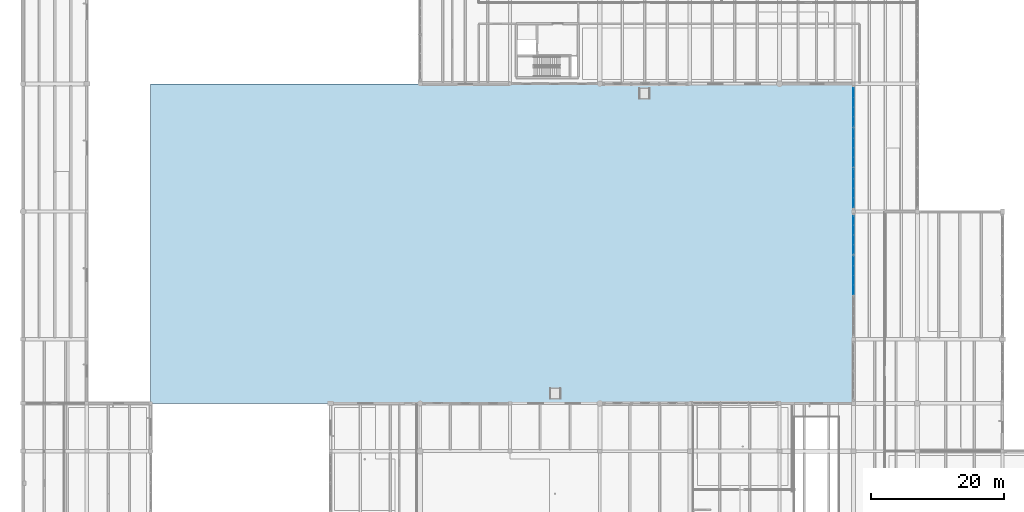
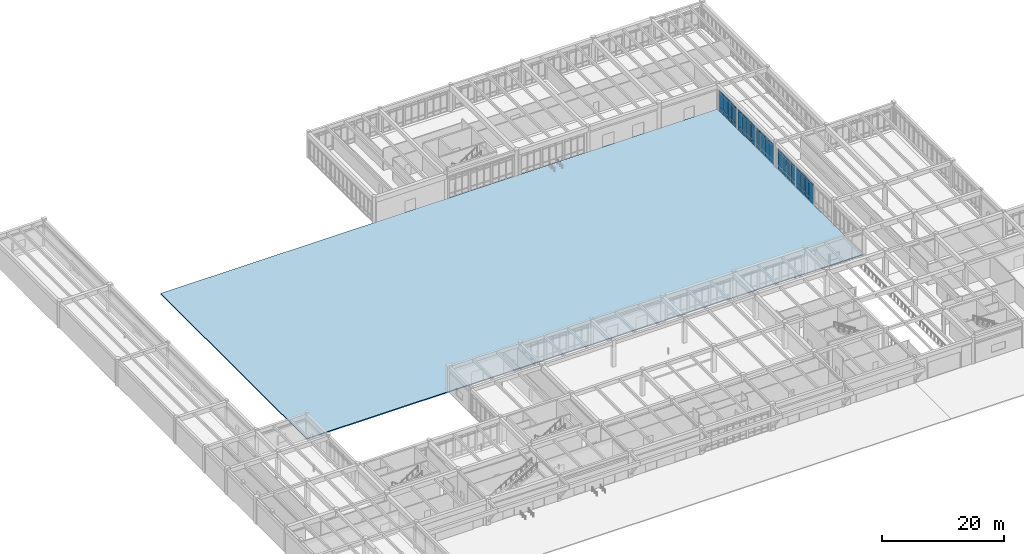
# One storey, part 94 of 138: 60 plates, 1 slab, 5 elements without a shape of their own.
"""IFC4 building model written with IfcOpenShell, lengths in metres."""

from ifc_helpers import new_model, si_unit, direction, frame, origin, origin_2d, place, context, subcontext, project, spatial, polyline, rectangle, outline, extrude, material, layer, layer_set, type_object, element, aggregate, save


model = new_model("IFC4")

# Units and contexts
model_context = context("Model", 3, precision=1e-05, world=origin(), true_north=direction((0.0, 1.0)))
body_context = subcontext(model_context, "Body", "Model", "MODEL_VIEW")
ifc_project = project(units=[si_unit("LENGTHUNIT", "METRE"), si_unit("AREAUNIT", "SQUARE_METRE"), si_unit("VOLUMEUNIT", "CUBIC_METRE"), si_unit("PLANEANGLEUNIT", "RADIAN"), si_unit("MASSUNIT", "GRAM", prefix="KILO")], contexts=[model_context])

# Site, building, storey
site_placement = place(None, origin())
site = spatial("IfcSite", under=ifc_project, at=site_placement, CompositionType="ELEMENT")
building_placement = place(site_placement, origin())
building = spatial("IfcBuilding", under=site, at=building_placement, Name="Fikremerkos Civic Library", CompositionType="ELEMENT")
storey_placement = place(building_placement, origin())
storey = spatial("IfcBuildingStorey", under=building, at=storey_placement, Name="L00", CompositionType="ELEMENT", Elevation=0.0)

# Curtain wall, plates
ifc_material_1 = material(Name="Anodized aluminium Frame", Category="aluminium")
ifc_layer_1 = layer(ifc_material_1, 0.159912109375, Name="Anodized aluminium Frame")
ifc_layer_set_1 = layer_set([ifc_layer_1], Name="Anodized aluminium Frame")
curtain_wall_type_1 = type_object("IfcCurtainWallType", Name="Unitised curtain wall CW-09 3600x3400", PredefinedType="USERDEFINED", material=ifc_layer_set_1)
curtain_wall_1_placement = place(storey_placement, origin())
curtain_wall_1 = element("IfcCurtainWall", 1, at=curtain_wall_1_placement, inside=storey, type_object=curtain_wall_type_1, Name="Unitised curtain wall CW-09 L00 #27", ObjectType="UNITISED CURTAIN WALL", PredefinedType="USERDEFINED")
ifc_material_2 = material(Name="Solar control double glazing", Category="glass")
ifc_layer_2 = layer(ifc_material_2, 0.028076171875, Name="Solar control double glazing")
ifc_layer_set_2 = layer_set([ifc_layer_2], Name="Solar control double glazing")
plate_type_1 = type_object("IfcPlateType", Name="Curtain glazing panel CWP-01 28", PredefinedType="CURTAIN_PANEL", material=ifc_layer_set_2)
plate_1_placement = place(storey_placement, frame((124.800048828125, 71.138916015625, 0.06982421875), z_axis=(0.0, 0.0, 1.0), x_axis=(0.0, 1.0, 0.0)))
plate_1 = element("IfcPlate", 2, at=plate_1_placement, type_object=plate_type_1, Name="CW-09 panel 1.1", PredefinedType="CURTAIN_PANEL", context=body_context, shape_type="SweptSolid", body=[
    extrude(rectangle(XDim=1.3466796875, YDim=0.028076171875, at=origin_2d()), origin(), (0.0, 0.0, 1.0), 0.7451171875),
])
plate_2_placement = place(storey_placement, frame((124.800048828125, 71.138916015625, 0.885009765625), z_axis=(0.0, 0.0, 1.0), x_axis=(0.0, 1.0, 0.0)))
plate_2 = element("IfcPlate", 3, at=plate_2_placement, type_object=plate_type_1, Name="CW-09 panel 1.2", PredefinedType="CURTAIN_PANEL", context=body_context, shape_type="SweptSolid", body=[
    extrude(rectangle(XDim=1.3466796875, YDim=0.028076171875, at=origin_2d()), origin(), (0.0, 0.0, 1.0), 2.830078125),
])
plate_3_placement = place(storey_placement, frame((124.800048828125, 71.138916015625, 3.78515625), z_axis=(0.0, 0.0, 1.0), x_axis=(0.0, 1.0, 0.0)))
plate_3 = element("IfcPlate", 4, at=plate_3_placement, type_object=plate_type_1, Name="CW-09 panel 1.3", PredefinedType="CURTAIN_PANEL", context=body_context, shape_type="SweptSolid", body=[
    extrude(rectangle(XDim=1.3466796875, YDim=0.028076171875, at=origin_2d()), origin(), (0.0, 0.0, 1.0), 0.445068359375),
])
plate_4_placement = place(storey_placement, frame((124.800048828125, 72.56689453125, 0.06982421875), z_axis=(0.0, 0.0, 1.0), x_axis=(0.0, 1.0, 0.0)))
plate_4 = element("IfcPlate", 5, at=plate_4_placement, type_object=plate_type_1, Name="CW-09 panel 2.1", PredefinedType="CURTAIN_PANEL", context=body_context, shape_type="SweptSolid", body=[
    extrude(rectangle(XDim=1.379150390625, YDim=0.028076171875, at=origin_2d()), origin(), (0.0, 0.0, 1.0), 0.7451171875),
])
plate_5_placement = place(storey_placement, frame((124.800048828125, 72.56689453125, 0.885009765625), z_axis=(0.0, 0.0, 1.0), x_axis=(0.0, 1.0, 0.0)))
plate_5 = element("IfcPlate", 6, at=plate_5_placement, type_object=plate_type_1, Name="CW-09 panel 2.2", PredefinedType="CURTAIN_PANEL", context=body_context, shape_type="SweptSolid", body=[
    extrude(rectangle(XDim=1.379150390625, YDim=0.028076171875, at=origin_2d()), origin(), (0.0, 0.0, 1.0), 2.830078125),
])
plate_6_placement = place(storey_placement, frame((124.800048828125, 72.56689453125, 3.78515625), z_axis=(0.0, 0.0, 1.0), x_axis=(0.0, 1.0, 0.0)))
plate_6 = element("IfcPlate", 7, at=plate_6_placement, type_object=plate_type_1, Name="CW-09 panel 2.3", PredefinedType="CURTAIN_PANEL", context=body_context, shape_type="SweptSolid", body=[
    extrude(rectangle(XDim=1.379150390625, YDim=0.028076171875, at=origin_2d()), origin(), (0.0, 0.0, 1.0), 0.445068359375),
])
plate_7_placement = place(storey_placement, frame((124.800048828125, 74.010986328125, 0.06982421875), z_axis=(0.0, 0.0, 1.0), x_axis=(0.0, 1.0, 0.0)))
plate_7 = element("IfcPlate", 8, at=plate_7_placement, type_object=plate_type_1, Name="CW-09 panel 3.1", PredefinedType="CURTAIN_PANEL", context=body_context, shape_type="SweptSolid", body=[
    extrude(rectangle(XDim=1.379150390625, YDim=0.028076171875, at=origin_2d()), origin(), (0.0, 0.0, 1.0), 0.7451171875),
])
plate_8_placement = place(storey_placement, frame((124.800048828125, 74.010986328125, 0.885009765625), z_axis=(0.0, 0.0, 1.0), x_axis=(0.0, 1.0, 0.0)))
plate_8 = element("IfcPlate", 9, at=plate_8_placement, type_object=plate_type_1, Name="CW-09 panel 3.2", PredefinedType="CURTAIN_PANEL", context=body_context, shape_type="SweptSolid", body=[
    extrude(rectangle(XDim=1.379150390625, YDim=0.028076171875, at=origin_2d()), origin(), (0.0, 0.0, 1.0), 2.830078125),
])
plate_9_placement = place(storey_placement, frame((124.800048828125, 74.010986328125, 3.78515625), z_axis=(0.0, 0.0, 1.0), x_axis=(0.0, 1.0, 0.0)))
plate_9 = element("IfcPlate", 10, at=plate_9_placement, type_object=plate_type_1, Name="CW-09 panel 3.3", PredefinedType="CURTAIN_PANEL", context=body_context, shape_type="SweptSolid", body=[
    extrude(rectangle(XDim=1.379150390625, YDim=0.028076171875, at=origin_2d()), origin(), (0.0, 0.0, 1.0), 0.445068359375),
])
plate_10_placement = place(storey_placement, frame((124.800048828125, 75.438720703125, 0.06982421875), z_axis=(0.0, 0.0, 1.0), x_axis=(0.0, 1.0, 0.0)))
plate_10 = element("IfcPlate", 11, at=plate_10_placement, type_object=plate_type_1, Name="CW-09 panel 4.1", PredefinedType="CURTAIN_PANEL", context=body_context, shape_type="SweptSolid", body=[
    extrude(rectangle(XDim=1.3466796875, YDim=0.028076171875, at=origin_2d()), origin(), (0.0, 0.0, 1.0), 0.7451171875),
])
plate_11_placement = place(storey_placement, frame((124.800048828125, 75.438720703125, 0.885009765625), z_axis=(0.0, 0.0, 1.0), x_axis=(0.0, 1.0, 0.0)))
plate_11 = element("IfcPlate", 12, at=plate_11_placement, type_object=plate_type_1, Name="CW-09 panel 4.2", PredefinedType="CURTAIN_PANEL", context=body_context, shape_type="SweptSolid", body=[
    extrude(rectangle(XDim=1.3466796875, YDim=0.028076171875, at=origin_2d()), origin(), (0.0, 0.0, 1.0), 2.830078125),
])
plate_12_placement = place(storey_placement, frame((124.800048828125, 75.438720703125, 3.78515625), z_axis=(0.0, 0.0, 1.0), x_axis=(0.0, 1.0, 0.0)))
plate_12 = element("IfcPlate", 13, at=plate_12_placement, type_object=plate_type_1, Name="CW-09 panel 4.3", PredefinedType="CURTAIN_PANEL", context=body_context, shape_type="SweptSolid", body=[
    extrude(rectangle(XDim=1.3466796875, YDim=0.028076171875, at=origin_2d()), origin(), (0.0, 0.0, 1.0), 0.445068359375),
])
aggregate(curtain_wall_1, [plate_1, plate_2, plate_3, plate_4, plate_5, plate_6, plate_7, plate_8, plate_9, plate_10, plate_11, plate_12])

ifc_layer_3 = layer(ifc_material_1, 0.159912109375, Name="Anodized aluminium Frame")
ifc_layer_set_3 = layer_set([ifc_layer_3], Name="Anodized aluminium Frame")
curtain_wall_type_2 = type_object("IfcCurtainWallType", Name="Unitised curtain wall CW-10 4000x3400", PredefinedType="USERDEFINED", material=ifc_layer_set_3)
curtain_wall_2_placement = place(storey_placement, origin())
curtain_wall_2 = element("IfcCurtainWall", 14, at=curtain_wall_2_placement, inside=storey, type_object=curtain_wall_type_2, Name="Unitised curtain wall CW-10 L00 #28", ObjectType="UNITISED CURTAIN WALL", PredefinedType="USERDEFINED")
ifc_layer_4 = layer(ifc_material_2, 0.035888671875, Name="Solar control double glazing")
ifc_layer_set_4 = layer_set([ifc_layer_4], Name="Solar control double glazing")
plate_type_2 = type_object("IfcPlateType", Name="Curtain glazing panel CWP-02 36", PredefinedType="CURTAIN_PANEL", material=ifc_layer_set_4)
plate_13_placement = place(storey_placement, frame((124.800048828125, 78.162109375, 0.06982421875), z_axis=(0.0, 0.0, 1.0), x_axis=(0.0, 1.0, 0.0)))
plate_13 = element("IfcPlate", 15, at=plate_13_placement, type_object=plate_type_2, Name="CW-10 panel 1.1", PredefinedType="CURTAIN_PANEL", context=body_context, shape_type="SweptSolid", body=[
    extrude(rectangle(XDim=1.358154296875, YDim=0.035888671875, at=origin_2d()), origin(), (0.0, 0.0, 1.0), 0.7451171875),
])
plate_14_placement = place(storey_placement, frame((124.800048828125, 78.162109375, 0.885009765625), z_axis=(0.0, 0.0, 1.0), x_axis=(0.0, 1.0, 0.0)))
plate_14 = element("IfcPlate", 16, at=plate_14_placement, type_object=plate_type_2, Name="CW-10 panel 1.2", PredefinedType="CURTAIN_PANEL", context=body_context, shape_type="SweptSolid", body=[
    extrude(rectangle(XDim=1.358154296875, YDim=0.035888671875, at=origin_2d()), origin(), (0.0, 0.0, 1.0), 2.81005859375),
])
plate_15_placement = place(storey_placement, frame((124.800048828125, 78.162109375, 3.76513671875), z_axis=(0.0, 0.0, 1.0), x_axis=(0.0, 1.0, 0.0)))
plate_15 = element("IfcPlate", 17, at=plate_15_placement, type_object=plate_type_2, Name="CW-10 panel 1.3", PredefinedType="CURTAIN_PANEL", context=body_context, shape_type="SweptSolid", body=[
    extrude(rectangle(XDim=1.358154296875, YDim=0.035888671875, at=origin_2d()), origin(), (0.0, 0.0, 1.0), 0.445068359375),
])
plate_16_placement = place(storey_placement, frame((124.800048828125, 79.595458984375, 0.06982421875), z_axis=(0.0, 0.0, 1.0), x_axis=(0.0, 1.0, 0.0)))
plate_16 = element("IfcPlate", 18, at=plate_16_placement, type_object=plate_type_2, Name="CW-10 panel 2.1", PredefinedType="CURTAIN_PANEL", context=body_context, shape_type="SweptSolid", body=[
    extrude(rectangle(XDim=1.38818359375, YDim=0.035888671875, at=origin_2d()), origin(), (0.0, 0.0, 1.0), 0.7451171875),
])
plate_17_placement = place(storey_placement, frame((124.800048828125, 79.595458984375, 0.885009765625), z_axis=(0.0, 0.0, 1.0), x_axis=(0.0, 1.0, 0.0)))
plate_17 = element("IfcPlate", 19, at=plate_17_placement, type_object=plate_type_2, Name="CW-10 panel 2.2", PredefinedType="CURTAIN_PANEL", context=body_context, shape_type="SweptSolid", body=[
    extrude(rectangle(XDim=1.38818359375, YDim=0.035888671875, at=origin_2d()), origin(), (0.0, 0.0, 1.0), 2.81005859375),
])
plate_18_placement = place(storey_placement, frame((124.800048828125, 79.595458984375, 3.76513671875), z_axis=(0.0, 0.0, 1.0), x_axis=(0.0, 1.0, 0.0)))
plate_18 = element("IfcPlate", 20, at=plate_18_placement, type_object=plate_type_2, Name="CW-10 panel 2.3", PredefinedType="CURTAIN_PANEL", context=body_context, shape_type="SweptSolid", body=[
    extrude(rectangle(XDim=1.38818359375, YDim=0.035888671875, at=origin_2d()), origin(), (0.0, 0.0, 1.0), 0.445068359375),
])
plate_19_placement = place(storey_placement, frame((124.800048828125, 81.043701171875, 0.06982421875), z_axis=(0.0, 0.0, 1.0), x_axis=(0.0, 1.0, 0.0)))
plate_19 = element("IfcPlate", 21, at=plate_19_placement, type_object=plate_type_2, Name="CW-10 panel 3.1", PredefinedType="CURTAIN_PANEL", context=body_context, shape_type="SweptSolid", body=[
    extrude(rectangle(XDim=1.38818359375, YDim=0.035888671875, at=origin_2d()), origin(), (0.0, 0.0, 1.0), 0.7451171875),
])
plate_20_placement = place(storey_placement, frame((124.800048828125, 81.043701171875, 0.885009765625), z_axis=(0.0, 0.0, 1.0), x_axis=(0.0, 1.0, 0.0)))
plate_20 = element("IfcPlate", 22, at=plate_20_placement, type_object=plate_type_2, Name="CW-10 panel 3.2", PredefinedType="CURTAIN_PANEL", context=body_context, shape_type="SweptSolid", body=[
    extrude(rectangle(XDim=1.38818359375, YDim=0.035888671875, at=origin_2d()), origin(), (0.0, 0.0, 1.0), 2.81005859375),
])
plate_21_placement = place(storey_placement, frame((124.800048828125, 81.043701171875, 3.76513671875), z_axis=(0.0, 0.0, 1.0), x_axis=(0.0, 1.0, 0.0)))
plate_21 = element("IfcPlate", 23, at=plate_21_placement, type_object=plate_type_2, Name="CW-10 panel 3.3", PredefinedType="CURTAIN_PANEL", context=body_context, shape_type="SweptSolid", body=[
    extrude(rectangle(XDim=1.38818359375, YDim=0.035888671875, at=origin_2d()), origin(), (0.0, 0.0, 1.0), 0.445068359375),
])
plate_22_placement = place(storey_placement, frame((124.800048828125, 82.476806640625, 0.06982421875), z_axis=(0.0, 0.0, 1.0), x_axis=(0.0, 1.0, 0.0)))
plate_22 = element("IfcPlate", 24, at=plate_22_placement, type_object=plate_type_2, Name="CW-10 panel 4.1", PredefinedType="CURTAIN_PANEL", context=body_context, shape_type="SweptSolid", body=[
    extrude(rectangle(XDim=1.358154296875, YDim=0.035888671875, at=origin_2d()), origin(), (0.0, 0.0, 1.0), 0.7451171875),
])
plate_23_placement = place(storey_placement, frame((124.800048828125, 82.476806640625, 0.885009765625), z_axis=(0.0, 0.0, 1.0), x_axis=(0.0, 1.0, 0.0)))
plate_23 = element("IfcPlate", 25, at=plate_23_placement, type_object=plate_type_2, Name="CW-10 panel 4.2", PredefinedType="CURTAIN_PANEL", context=body_context, shape_type="SweptSolid", body=[
    extrude(rectangle(XDim=1.358154296875, YDim=0.035888671875, at=origin_2d()), origin(), (0.0, 0.0, 1.0), 2.81005859375),
])
plate_24_placement = place(storey_placement, frame((124.800048828125, 82.476806640625, 3.76513671875), z_axis=(0.0, 0.0, 1.0), x_axis=(0.0, 1.0, 0.0)))
plate_24 = element("IfcPlate", 26, at=plate_24_placement, type_object=plate_type_2, Name="CW-10 panel 4.3", PredefinedType="CURTAIN_PANEL", context=body_context, shape_type="SweptSolid", body=[
    extrude(rectangle(XDim=1.358154296875, YDim=0.035888671875, at=origin_2d()), origin(), (0.0, 0.0, 1.0), 0.445068359375),
])
aggregate(curtain_wall_2, [plate_13, plate_14, plate_15, plate_16, plate_17, plate_18, plate_19, plate_20, plate_21, plate_22, plate_23, plate_24])

ifc_layer_5 = layer(ifc_material_1, 0.159912109375, Name="Anodized aluminium Frame")
ifc_layer_set_5 = layer_set([ifc_layer_5], Name="Anodized aluminium Frame")
curtain_wall_type_3 = type_object("IfcCurtainWallType", Name="Unitised curtain wall CW-11 3200x3400", PredefinedType="USERDEFINED", material=ifc_layer_set_5)
curtain_wall_3_placement = place(storey_placement, origin())
curtain_wall_3 = element("IfcCurtainWall", 27, at=curtain_wall_3_placement, inside=storey, type_object=curtain_wall_type_3, Name="Unitised curtain wall CW-11 L00 #29", ObjectType="UNITISED CURTAIN WALL", PredefinedType="USERDEFINED")
ifc_material_3 = material(Name="Insulated aluminium spandrel", Category="aluminium")
ifc_layer_6 = layer(ifc_material_3, 0.044921875, Name="Insulated aluminium spandrel")
ifc_layer_set_6 = layer_set([ifc_layer_6], Name="Insulated aluminium spandrel")
plate_type_3 = type_object("IfcPlateType", Name="Curtain spandrel panel CSP-01 45", PredefinedType="CURTAIN_PANEL", material=ifc_layer_set_6)
plate_25_placement = place(storey_placement, frame((124.800048828125, 84.255126953125, 0.06494140625), z_axis=(0.0, 0.0, 1.0), x_axis=(0.0, 1.0, 0.0)))
plate_25 = element("IfcPlate", 28, at=plate_25_placement, type_object=plate_type_3, Name="CW-11 panel 1.1", PredefinedType="CURTAIN_PANEL", context=body_context, shape_type="SweptSolid", body=[
    extrude(rectangle(XDim=1.358154296875, YDim=0.044921875, at=origin_2d()), origin(), (0.0, 0.0, 1.0), 0.75244140625),
])
plate_26_placement = place(storey_placement, frame((124.800048828125, 84.255126953125, 0.882568359375), z_axis=(0.0, 0.0, 1.0), x_axis=(0.0, 1.0, 0.0)))
plate_26 = element("IfcPlate", 29, at=plate_26_placement, type_object=plate_type_3, Name="CW-11 panel 1.2", PredefinedType="CURTAIN_PANEL", context=body_context, shape_type="SweptSolid", body=[
    extrude(rectangle(XDim=1.358154296875, YDim=0.044921875, at=origin_2d()), origin(), (0.0, 0.0, 1.0), 2.81494140625),
])
plate_27_placement = place(storey_placement, frame((124.800048828125, 84.255126953125, 3.7626953125), z_axis=(0.0, 0.0, 1.0), x_axis=(0.0, 1.0, 0.0)))
plate_27 = element("IfcPlate", 30, at=plate_27_placement, type_object=plate_type_3, Name="CW-11 panel 1.3", PredefinedType="CURTAIN_PANEL", context=body_context, shape_type="SweptSolid", body=[
    extrude(rectangle(XDim=1.358154296875, YDim=0.044921875, at=origin_2d()), origin(), (0.0, 0.0, 1.0), 0.452392578125),
])
plate_28_placement = place(storey_placement, frame((124.800048828125, 85.6884765625, 0.06494140625), z_axis=(0.0, 0.0, 1.0), x_axis=(0.0, 1.0, 0.0)))
plate_28 = element("IfcPlate", 31, at=plate_28_placement, type_object=plate_type_3, Name="CW-11 panel 2.1", PredefinedType="CURTAIN_PANEL", context=body_context, shape_type="SweptSolid", body=[
    extrude(rectangle(XDim=1.38818359375, YDim=0.044921875, at=origin_2d()), origin(), (0.0, 0.0, 1.0), 0.75244140625),
])
plate_29_placement = place(storey_placement, frame((124.800048828125, 85.6884765625, 0.882568359375), z_axis=(0.0, 0.0, 1.0), x_axis=(0.0, 1.0, 0.0)))
plate_29 = element("IfcPlate", 32, at=plate_29_placement, type_object=plate_type_3, Name="CW-11 panel 2.2", PredefinedType="CURTAIN_PANEL", context=body_context, shape_type="SweptSolid", body=[
    extrude(rectangle(XDim=1.38818359375, YDim=0.044921875, at=origin_2d()), origin(), (0.0, 0.0, 1.0), 2.81494140625),
])
plate_30_placement = place(storey_placement, frame((124.800048828125, 85.6884765625, 3.7626953125), z_axis=(0.0, 0.0, 1.0), x_axis=(0.0, 1.0, 0.0)))
plate_30 = element("IfcPlate", 33, at=plate_30_placement, type_object=plate_type_3, Name="CW-11 panel 2.3", PredefinedType="CURTAIN_PANEL", context=body_context, shape_type="SweptSolid", body=[
    extrude(rectangle(XDim=1.38818359375, YDim=0.044921875, at=origin_2d()), origin(), (0.0, 0.0, 1.0), 0.452392578125),
])
plate_31_placement = place(storey_placement, frame((124.800048828125, 87.13671875, 0.06494140625), z_axis=(0.0, 0.0, 1.0), x_axis=(0.0, 1.0, 0.0)))
plate_31 = element("IfcPlate", 34, at=plate_31_placement, type_object=plate_type_3, Name="CW-11 panel 3.1", PredefinedType="CURTAIN_PANEL", context=body_context, shape_type="SweptSolid", body=[
    extrude(rectangle(XDim=1.38818359375, YDim=0.044921875, at=origin_2d()), origin(), (0.0, 0.0, 1.0), 0.75244140625),
])
plate_32_placement = place(storey_placement, frame((124.800048828125, 87.13671875, 0.882568359375), z_axis=(0.0, 0.0, 1.0), x_axis=(0.0, 1.0, 0.0)))
plate_32 = element("IfcPlate", 35, at=plate_32_placement, type_object=plate_type_3, Name="CW-11 panel 3.2", PredefinedType="CURTAIN_PANEL", context=body_context, shape_type="SweptSolid", body=[
    extrude(rectangle(XDim=1.38818359375, YDim=0.044921875, at=origin_2d()), origin(), (0.0, 0.0, 1.0), 2.81494140625),
])
plate_33_placement = place(storey_placement, frame((124.800048828125, 87.13671875, 3.7626953125), z_axis=(0.0, 0.0, 1.0), x_axis=(0.0, 1.0, 0.0)))
plate_33 = element("IfcPlate", 36, at=plate_33_placement, type_object=plate_type_3, Name="CW-11 panel 3.3", PredefinedType="CURTAIN_PANEL", context=body_context, shape_type="SweptSolid", body=[
    extrude(rectangle(XDim=1.38818359375, YDim=0.044921875, at=origin_2d()), origin(), (0.0, 0.0, 1.0), 0.452392578125),
])
plate_34_placement = place(storey_placement, frame((124.800048828125, 88.56982421875, 0.06494140625), z_axis=(0.0, 0.0, 1.0), x_axis=(0.0, 1.0, 0.0)))
plate_34 = element("IfcPlate", 37, at=plate_34_placement, type_object=plate_type_3, Name="CW-11 panel 4.1", PredefinedType="CURTAIN_PANEL", context=body_context, shape_type="SweptSolid", body=[
    extrude(rectangle(XDim=1.358154296875, YDim=0.044921875, at=origin_2d()), origin(), (0.0, 0.0, 1.0), 0.75244140625),
])
plate_35_placement = place(storey_placement, frame((124.800048828125, 88.56982421875, 0.882568359375), z_axis=(0.0, 0.0, 1.0), x_axis=(0.0, 1.0, 0.0)))
plate_35 = element("IfcPlate", 38, at=plate_35_placement, type_object=plate_type_3, Name="CW-11 panel 4.2", PredefinedType="CURTAIN_PANEL", context=body_context, shape_type="SweptSolid", body=[
    extrude(rectangle(XDim=1.358154296875, YDim=0.044921875, at=origin_2d()), origin(), (0.0, 0.0, 1.0), 2.81494140625),
])
plate_36_placement = place(storey_placement, frame((124.800048828125, 88.56982421875, 3.7626953125), z_axis=(0.0, 0.0, 1.0), x_axis=(0.0, 1.0, 0.0)))
plate_36 = element("IfcPlate", 39, at=plate_36_placement, type_object=plate_type_3, Name="CW-11 panel 4.3", PredefinedType="CURTAIN_PANEL", context=body_context, shape_type="SweptSolid", body=[
    extrude(rectangle(XDim=1.358154296875, YDim=0.044921875, at=origin_2d()), origin(), (0.0, 0.0, 1.0), 0.452392578125),
])
aggregate(curtain_wall_3, [plate_25, plate_26, plate_27, plate_28, plate_29, plate_30, plate_31, plate_32, plate_33, plate_34, plate_35, plate_36])

ifc_layer_7 = layer(ifc_material_1, 0.159912109375, Name="Anodized aluminium Frame")
ifc_layer_set_7 = layer_set([ifc_layer_7], Name="Anodized aluminium Frame")
curtain_wall_type_4 = type_object("IfcCurtainWallType", Name="Unitised curtain wall CW-08 4500x4100", PredefinedType="USERDEFINED", material=ifc_layer_set_7)
curtain_wall_4_placement = place(storey_placement, origin())
curtain_wall_4 = element("IfcCurtainWall", 40, at=curtain_wall_4_placement, inside=storey, type_object=curtain_wall_type_4, Name="Unitised curtain wall CW-08 L00 #26", ObjectType="UNITISED CURTAIN WALL", PredefinedType="USERDEFINED")
ifc_layer_8 = layer(ifc_material_3, 0.054931640625, Name="Insulated aluminium spandrel")
ifc_layer_set_8 = layer_set([ifc_layer_8], Name="Insulated aluminium spandrel")
plate_type_4 = type_object("IfcPlateType", Name="Curtain spandrel panel CSP-02 55", PredefinedType="CURTAIN_PANEL", material=ifc_layer_set_8)
plate_37_placement = place(storey_placement, frame((124.800048828125, 65.061279296875, 0.06982421875), z_axis=(0.0, 0.0, 1.0), x_axis=(0.0, 1.0, 0.0)))
plate_37 = element("IfcPlate", 41, at=plate_37_placement, type_object=plate_type_4, Name="CW-08 panel 1.1", PredefinedType="CURTAIN_PANEL", context=body_context, shape_type="SweptSolid", body=[
    extrude(rectangle(XDim=1.35400390625, YDim=0.054931640625, at=origin_2d()), origin(), (0.0, 0.0, 1.0), 0.7451171875),
])
plate_38_placement = place(storey_placement, frame((124.800048828125, 65.061279296875, 0.885009765625), z_axis=(0.0, 0.0, 1.0), x_axis=(0.0, 1.0, 0.0)))
plate_38 = element("IfcPlate", 42, at=plate_38_placement, type_object=plate_type_4, Name="CW-08 panel 1.2", PredefinedType="CURTAIN_PANEL", context=body_context, shape_type="SweptSolid", body=[
    extrude(rectangle(XDim=1.35400390625, YDim=0.054931640625, at=origin_2d()), origin(), (0.0, 0.0, 1.0), 2.830078125),
])
plate_39_placement = place(storey_placement, frame((124.800048828125, 65.061279296875, 3.78515625), z_axis=(0.0, 0.0, 1.0), x_axis=(0.0, 1.0, 0.0)))
plate_39 = element("IfcPlate", 43, at=plate_39_placement, type_object=plate_type_4, Name="CW-08 panel 1.3", PredefinedType="CURTAIN_PANEL", context=body_context, shape_type="SweptSolid", body=[
    extrude(rectangle(XDim=1.35400390625, YDim=0.054931640625, at=origin_2d()), origin(), (0.0, 0.0, 1.0), 0.445068359375),
])
plate_40_placement = place(storey_placement, frame((124.800048828125, 66.490478515625, 0.06982421875), z_axis=(0.0, 0.0, 1.0), x_axis=(0.0, 1.0, 0.0)))
plate_40 = element("IfcPlate", 44, at=plate_40_placement, type_object=plate_type_4, Name="CW-08 panel 2.1", PredefinedType="CURTAIN_PANEL", context=body_context, shape_type="SweptSolid", body=[
    extrude(rectangle(XDim=1.384033203125, YDim=0.054931640625, at=origin_2d()), origin(), (0.0, 0.0, 1.0), 0.7451171875),
])
plate_41_placement = place(storey_placement, frame((124.800048828125, 66.490478515625, 0.885009765625), z_axis=(0.0, 0.0, 1.0), x_axis=(0.0, 1.0, 0.0)))
plate_41 = element("IfcPlate", 45, at=plate_41_placement, type_object=plate_type_4, Name="CW-08 panel 2.2", PredefinedType="CURTAIN_PANEL", context=body_context, shape_type="SweptSolid", body=[
    extrude(rectangle(XDim=1.384033203125, YDim=0.054931640625, at=origin_2d()), origin(), (0.0, 0.0, 1.0), 2.830078125),
])
plate_42_placement = place(storey_placement, frame((124.800048828125, 66.490478515625, 3.78515625), z_axis=(0.0, 0.0, 1.0), x_axis=(0.0, 1.0, 0.0)))
plate_42 = element("IfcPlate", 46, at=plate_42_placement, type_object=plate_type_4, Name="CW-08 panel 2.3", PredefinedType="CURTAIN_PANEL", context=body_context, shape_type="SweptSolid", body=[
    extrude(rectangle(XDim=1.384033203125, YDim=0.054931640625, at=origin_2d()), origin(), (0.0, 0.0, 1.0), 0.445068359375),
])
plate_43_placement = place(storey_placement, frame((124.800048828125, 67.9345703125, 0.06982421875), z_axis=(0.0, 0.0, 1.0), x_axis=(0.0, 1.0, 0.0)))
plate_43 = element("IfcPlate", 47, at=plate_43_placement, type_object=plate_type_4, Name="CW-08 panel 3.1", PredefinedType="CURTAIN_PANEL", context=body_context, shape_type="SweptSolid", body=[
    extrude(rectangle(XDim=1.384033203125, YDim=0.054931640625, at=origin_2d()), origin(), (0.0, 0.0, 1.0), 0.7451171875),
])
plate_44_placement = place(storey_placement, frame((124.800048828125, 67.9345703125, 0.885009765625), z_axis=(0.0, 0.0, 1.0), x_axis=(0.0, 1.0, 0.0)))
plate_44 = element("IfcPlate", 48, at=plate_44_placement, type_object=plate_type_4, Name="CW-08 panel 3.2", PredefinedType="CURTAIN_PANEL", context=body_context, shape_type="SweptSolid", body=[
    extrude(rectangle(XDim=1.384033203125, YDim=0.054931640625, at=origin_2d()), origin(), (0.0, 0.0, 1.0), 2.830078125),
])
plate_45_placement = place(storey_placement, frame((124.800048828125, 67.9345703125, 3.78515625), z_axis=(0.0, 0.0, 1.0), x_axis=(0.0, 1.0, 0.0)))
plate_45 = element("IfcPlate", 49, at=plate_45_placement, type_object=plate_type_4, Name="CW-08 panel 3.3", PredefinedType="CURTAIN_PANEL", context=body_context, shape_type="SweptSolid", body=[
    extrude(rectangle(XDim=1.384033203125, YDim=0.054931640625, at=origin_2d()), origin(), (0.0, 0.0, 1.0), 0.445068359375),
])
plate_46_placement = place(storey_placement, frame((124.800048828125, 69.363525390625, 0.06982421875), z_axis=(0.0, 0.0, 1.0), x_axis=(0.0, 1.0, 0.0)))
plate_46 = element("IfcPlate", 50, at=plate_46_placement, type_object=plate_type_4, Name="CW-08 panel 4.1", PredefinedType="CURTAIN_PANEL", context=body_context, shape_type="SweptSolid", body=[
    extrude(rectangle(XDim=1.35400390625, YDim=0.054931640625, at=origin_2d()), origin(), (0.0, 0.0, 1.0), 0.7451171875),
])
plate_47_placement = place(storey_placement, frame((124.800048828125, 69.363525390625, 0.885009765625), z_axis=(0.0, 0.0, 1.0), x_axis=(0.0, 1.0, 0.0)))
plate_47 = element("IfcPlate", 51, at=plate_47_placement, type_object=plate_type_4, Name="CW-08 panel 4.2", PredefinedType="CURTAIN_PANEL", context=body_context, shape_type="SweptSolid", body=[
    extrude(rectangle(XDim=1.35400390625, YDim=0.054931640625, at=origin_2d()), origin(), (0.0, 0.0, 1.0), 2.830078125),
])
plate_48_placement = place(storey_placement, frame((124.800048828125, 69.363525390625, 3.78515625), z_axis=(0.0, 0.0, 1.0), x_axis=(0.0, 1.0, 0.0)))
plate_48 = element("IfcPlate", 52, at=plate_48_placement, type_object=plate_type_4, Name="CW-08 panel 4.3", PredefinedType="CURTAIN_PANEL", context=body_context, shape_type="SweptSolid", body=[
    extrude(rectangle(XDim=1.35400390625, YDim=0.054931640625, at=origin_2d()), origin(), (0.0, 0.0, 1.0), 0.445068359375),
])
aggregate(curtain_wall_4, [plate_37, plate_38, plate_39, plate_40, plate_41, plate_42, plate_43, plate_44, plate_45, plate_46, plate_47, plate_48])

ifc_layer_9 = layer(ifc_material_1, 0.159912109375, Name="Anodized aluminium Frame")
ifc_layer_set_9 = layer_set([ifc_layer_9], Name="Anodized aluminium Frame")
curtain_wall_type_5 = type_object("IfcCurtainWallType", Name="Unitised curtain wall CW-12 4300x3400", PredefinedType="USERDEFINED", material=ifc_layer_set_9)
curtain_wall_5_placement = place(storey_placement, origin())
curtain_wall_5 = element("IfcCurtainWall", 53, at=curtain_wall_5_placement, inside=storey, type_object=curtain_wall_type_5, Name="Unitised curtain wall CW-12 L00 #30", ObjectType="UNITISED CURTAIN WALL", PredefinedType="USERDEFINED")
plate_49_placement = place(storey_placement, frame((124.800048828125, 90.34814453125, 0.06494140625), z_axis=(0.0, 0.0, 1.0), x_axis=(0.0, 1.0, 0.0)))
plate_49 = element("IfcPlate", 54, at=plate_49_placement, type_object=plate_type_4, Name="CW-12 panel 1.1", PredefinedType="CURTAIN_PANEL", context=body_context, shape_type="SweptSolid", body=[
    extrude(rectangle(XDim=1.358154296875, YDim=0.054931640625, at=origin_2d()), origin(), (0.0, 0.0, 1.0), 0.75244140625),
])
plate_50_placement = place(storey_placement, frame((124.800048828125, 90.34814453125, 0.882568359375), z_axis=(0.0, 0.0, 1.0), x_axis=(0.0, 1.0, 0.0)))
plate_50 = element("IfcPlate", 55, at=plate_50_placement, type_object=plate_type_4, Name="CW-12 panel 1.2", PredefinedType="CURTAIN_PANEL", context=body_context, shape_type="SweptSolid", body=[
    extrude(rectangle(XDim=1.358154296875, YDim=0.054931640625, at=origin_2d()), origin(), (0.0, 0.0, 1.0), 2.81494140625),
])
plate_51_placement = place(storey_placement, frame((124.800048828125, 90.34814453125, 3.7626953125), z_axis=(0.0, 0.0, 1.0), x_axis=(0.0, 1.0, 0.0)))
plate_51 = element("IfcPlate", 56, at=plate_51_placement, type_object=plate_type_4, Name="CW-12 panel 1.3", PredefinedType="CURTAIN_PANEL", context=body_context, shape_type="SweptSolid", body=[
    extrude(rectangle(XDim=1.358154296875, YDim=0.054931640625, at=origin_2d()), origin(), (0.0, 0.0, 1.0), 0.452392578125),
])
plate_52_placement = place(storey_placement, frame((124.800048828125, 91.781494140625, 0.06494140625), z_axis=(0.0, 0.0, 1.0), x_axis=(0.0, 1.0, 0.0)))
plate_52 = element("IfcPlate", 57, at=plate_52_placement, type_object=plate_type_4, Name="CW-12 panel 2.1", PredefinedType="CURTAIN_PANEL", context=body_context, shape_type="SweptSolid", body=[
    extrude(rectangle(XDim=1.38818359375, YDim=0.054931640625, at=origin_2d()), origin(), (0.0, 0.0, 1.0), 0.75244140625),
])
plate_53_placement = place(storey_placement, frame((124.800048828125, 91.781494140625, 0.882568359375), z_axis=(0.0, 0.0, 1.0), x_axis=(0.0, 1.0, 0.0)))
plate_53 = element("IfcPlate", 58, at=plate_53_placement, type_object=plate_type_4, Name="CW-12 panel 2.2", PredefinedType="CURTAIN_PANEL", context=body_context, shape_type="SweptSolid", body=[
    extrude(rectangle(XDim=1.38818359375, YDim=0.054931640625, at=origin_2d()), origin(), (0.0, 0.0, 1.0), 2.81494140625),
])
plate_54_placement = place(storey_placement, frame((124.800048828125, 91.781494140625, 3.7626953125), z_axis=(0.0, 0.0, 1.0), x_axis=(0.0, 1.0, 0.0)))
plate_54 = element("IfcPlate", 59, at=plate_54_placement, type_object=plate_type_4, Name="CW-12 panel 2.3", PredefinedType="CURTAIN_PANEL", context=body_context, shape_type="SweptSolid", body=[
    extrude(rectangle(XDim=1.38818359375, YDim=0.054931640625, at=origin_2d()), origin(), (0.0, 0.0, 1.0), 0.452392578125),
])
plate_55_placement = place(storey_placement, frame((124.800048828125, 93.229736328125, 0.06494140625), z_axis=(0.0, 0.0, 1.0), x_axis=(0.0, 1.0, 0.0)))
plate_55 = element("IfcPlate", 60, at=plate_55_placement, type_object=plate_type_4, Name="CW-12 panel 3.1", PredefinedType="CURTAIN_PANEL", context=body_context, shape_type="SweptSolid", body=[
    extrude(rectangle(XDim=1.38818359375, YDim=0.054931640625, at=origin_2d()), origin(), (0.0, 0.0, 1.0), 0.75244140625),
])
plate_56_placement = place(storey_placement, frame((124.800048828125, 93.229736328125, 0.882568359375), z_axis=(0.0, 0.0, 1.0), x_axis=(0.0, 1.0, 0.0)))
plate_56 = element("IfcPlate", 61, at=plate_56_placement, type_object=plate_type_4, Name="CW-12 panel 3.2", PredefinedType="CURTAIN_PANEL", context=body_context, shape_type="SweptSolid", body=[
    extrude(rectangle(XDim=1.38818359375, YDim=0.054931640625, at=origin_2d()), origin(), (0.0, 0.0, 1.0), 2.81494140625),
])
plate_57_placement = place(storey_placement, frame((124.800048828125, 93.229736328125, 3.7626953125), z_axis=(0.0, 0.0, 1.0), x_axis=(0.0, 1.0, 0.0)))
plate_57 = element("IfcPlate", 62, at=plate_57_placement, type_object=plate_type_4, Name="CW-12 panel 3.3", PredefinedType="CURTAIN_PANEL", context=body_context, shape_type="SweptSolid", body=[
    extrude(rectangle(XDim=1.38818359375, YDim=0.054931640625, at=origin_2d()), origin(), (0.0, 0.0, 1.0), 0.452392578125),
])
plate_58_placement = place(storey_placement, frame((124.800048828125, 94.662841796875, 0.06494140625), z_axis=(0.0, 0.0, 1.0), x_axis=(0.0, 1.0, 0.0)))
plate_58 = element("IfcPlate", 63, at=plate_58_placement, type_object=plate_type_4, Name="CW-12 panel 4.1", PredefinedType="CURTAIN_PANEL", context=body_context, shape_type="SweptSolid", body=[
    extrude(rectangle(XDim=1.358154296875, YDim=0.054931640625, at=origin_2d()), origin(), (0.0, 0.0, 1.0), 0.75244140625),
])
plate_59_placement = place(storey_placement, frame((124.800048828125, 94.662841796875, 0.882568359375), z_axis=(0.0, 0.0, 1.0), x_axis=(0.0, 1.0, 0.0)))
plate_59 = element("IfcPlate", 64, at=plate_59_placement, type_object=plate_type_4, Name="CW-12 panel 4.2", PredefinedType="CURTAIN_PANEL", context=body_context, shape_type="SweptSolid", body=[
    extrude(rectangle(XDim=1.358154296875, YDim=0.054931640625, at=origin_2d()), origin(), (0.0, 0.0, 1.0), 2.81494140625),
])
plate_60_placement = place(storey_placement, frame((124.800048828125, 94.662841796875, 3.7626953125), z_axis=(0.0, 0.0, 1.0), x_axis=(0.0, 1.0, 0.0)))
plate_60 = element("IfcPlate", 65, at=plate_60_placement, type_object=plate_type_4, Name="CW-12 panel 4.3", PredefinedType="CURTAIN_PANEL", context=body_context, shape_type="SweptSolid", body=[
    extrude(rectangle(XDim=1.358154296875, YDim=0.054931640625, at=origin_2d()), origin(), (0.0, 0.0, 1.0), 0.452392578125),
])
aggregate(curtain_wall_5, [plate_49, plate_50, plate_51, plate_52, plate_53, plate_54, plate_55, plate_56, plate_57, plate_58, plate_59, plate_60])

# Slab
ifc_material_4 = material(Name="Concrete C35/45", Category="concrete")
ifc_layer_10 = layer(ifc_material_4, 0.199951171875, Name="Concrete C35/45")
ifc_layer_set_10 = layer_set([ifc_layer_10], Name="Concrete C35/45")
slab_type = type_object("IfcSlabType", Name="External terrace slab ETS-03 200", PredefinedType="FLOOR", material=ifc_layer_set_10)
slab_placement = place(storey_placement, frame((0.0, 0.0, -0.199951171875)))
element("IfcSlab", 66, at=slab_placement, inside=storey, type_object=slab_type, Name="Courtyard paving slab ETS-03 L00-EXT-COURT", PredefinedType="FLOOR", context=body_context, shape_type="SweptSolid", body=[
    extrude(outline(polyline([(19.199951171875, 48.0), (124.800048828125, 48.0), (124.800048828125, 96.0), (19.199951171875, 96.0), (19.199951171875, 48.0)])), origin(), (0.0, 0.0, 1.0), 0.199951171875),
])

save(model, "model.ifc")
